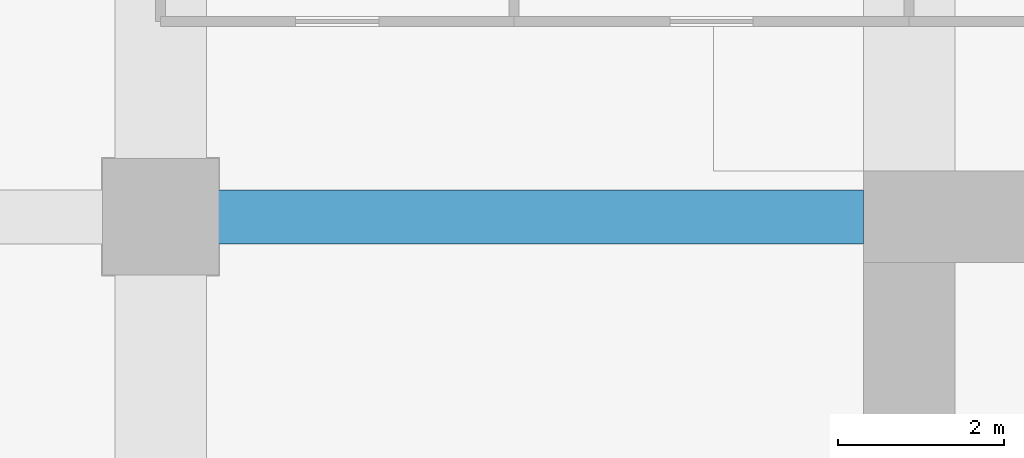
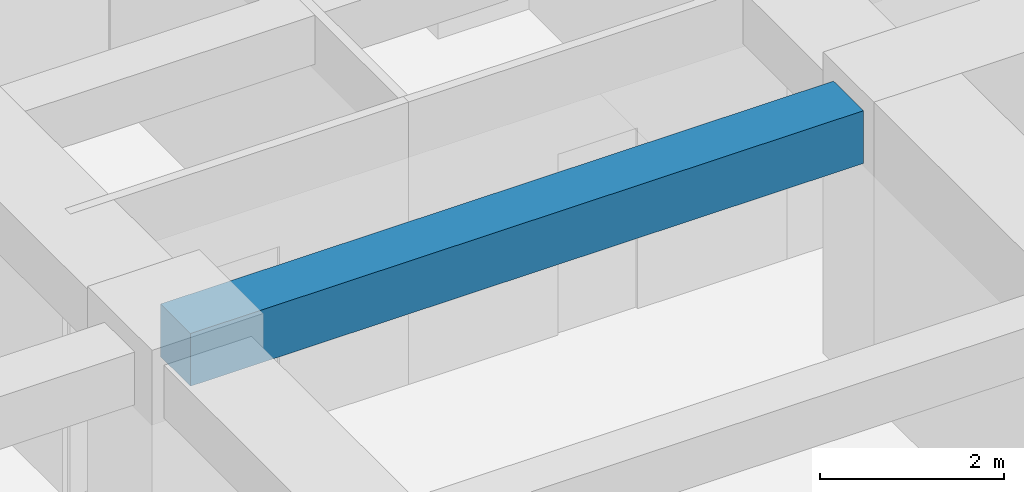
# One storey, part 21 of 33: 1 beam.
"""IFC4 building model written with IfcOpenShell, lengths in metres."""

from ifc_helpers import new_model, si_unit, direction, frame, origin, origin_2d, place, context, subcontext, project, spatial, rectangle, extrude, material, material_profile, profile_set, type_object, element, save


model = new_model("IFC4")

# Units and contexts
model_context = context("Model", 3, precision=1e-05, world=origin(), true_north=direction((0.0, 1.0)))
body_context = subcontext(model_context, "Body", "Model", "MODEL_VIEW")
ifc_project = project(units=[si_unit("LENGTHUNIT", "METRE"), si_unit("AREAUNIT", "SQUARE_METRE"), si_unit("VOLUMEUNIT", "CUBIC_METRE"), si_unit("PLANEANGLEUNIT", "RADIAN"), si_unit("MASSUNIT", "GRAM", prefix="KILO")], contexts=[model_context])

# Site, building, storey
site_placement = place(None, origin())
site = spatial("IfcSite", under=ifc_project, at=site_placement, CompositionType="ELEMENT")
building_placement = place(site_placement, origin())
building = spatial("IfcBuilding", under=site, at=building_placement, Name="Zorevar Civic Tower", CompositionType="ELEMENT")
storey_placement = place(building_placement, frame((0.0, 0.0, 210.199951171875)))
storey = spatial("IfcBuildingStorey", under=building, at=storey_placement, Name="L51", CompositionType="ELEMENT", Elevation=210.199951171875)

# Beam
ifc_material = material(Name="Concrete C50/60", Category="concrete")
ifc_material_profile = material_profile(ifc_material, rectangle(XDim=0.64990234375, YDim=0.699951171875, at=origin_2d()), Name="RC 650x700")
ifc_profile_set = profile_set([ifc_material_profile], Name="Concrete C50/60")
beam_type = type_object("IfcBeamType", Name="Beam RC 650x700", PredefinedType="BEAM", material=ifc_profile_set)
beam_placement = place(storey_placement, frame((9.0, 36.0, 3.400146484375), z_axis=(1.0, 0.0, 0.0), x_axis=(0.0, 1.0, 0.0)))
element("IfcBeam", 1, at=beam_placement, inside=storey, type_object=beam_type, Name="Girder L52", PredefinedType="BEAM", context=body_context, shape_type="SweptSolid", body=[
    extrude(rectangle(XDim=0.64990234375, YDim=0.699951171875, at=origin_2d()), origin(), (0.0, 0.0, 1.0), 8.449951171875),
])

save(model, "model.ifc")
